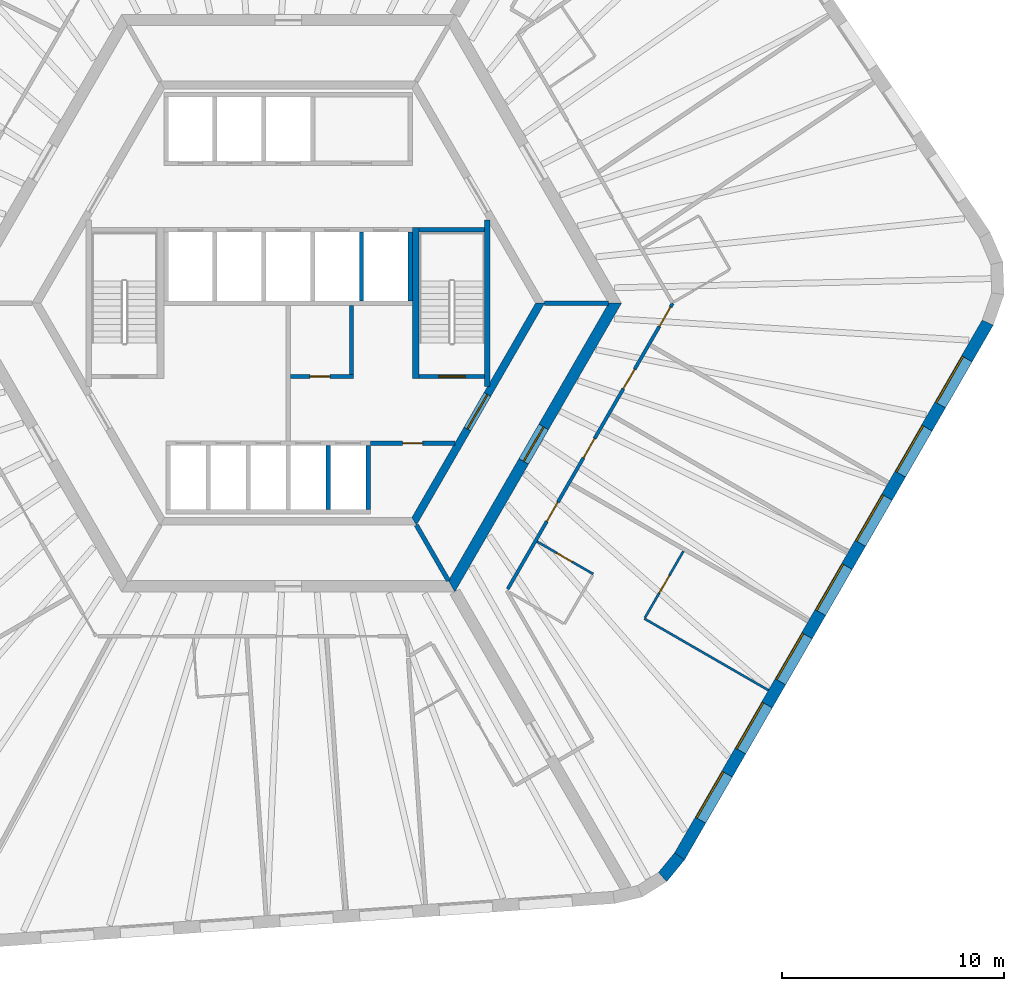
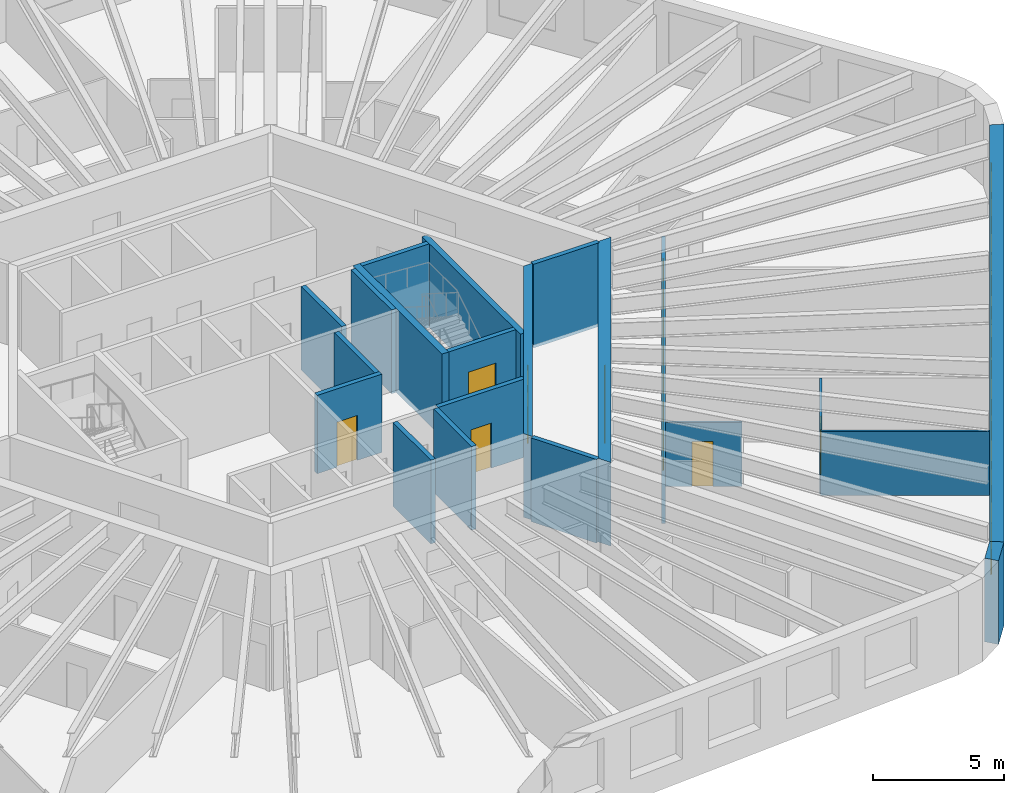
# One storey, part 5 of 10: 21 walls, 11 doors, 7 windows, 18 openings.
"""IFC4 building model written with IfcOpenShell, lengths in metres."""

from ifc_helpers import new_model, si_unit, direction, frame, frame_2d, origin, place, context, subcontext, project, spatial, polyline, rectangle, outline, extrude, material, layer, layer_set, type_object, element, fill, save


model = new_model("IFC4")

# Units and contexts
model_context = context("Model", 3, precision=1e-05, world=origin(), true_north=direction((0.0, 1.0)))
body_context = subcontext(model_context, "Body", "Model", "MODEL_VIEW")
ifc_project = project(units=[si_unit("LENGTHUNIT", "METRE"), si_unit("AREAUNIT", "SQUARE_METRE"), si_unit("VOLUMEUNIT", "CUBIC_METRE"), si_unit("PLANEANGLEUNIT", "RADIAN"), si_unit("MASSUNIT", "GRAM", prefix="KILO")], contexts=[model_context])

# Site, building, storey
site_placement = place(None, origin())
site = spatial("IfcSite", under=ifc_project, at=site_placement, CompositionType="ELEMENT")
building_placement = place(site_placement, origin())
building = spatial("IfcBuilding", under=site, at=building_placement, Name="Tarnside Tower", CompositionType="ELEMENT")
storey_placement = place(building_placement, frame((0.0, 0.0, 199.5)))
storey = spatial("IfcBuildingStorey", under=building, at=storey_placement, Name="L47", CompositionType="ELEMENT", Elevation=199.5)

# Wall, opening, door
ifc_material_1 = material(Name="Gypsum board partition on steel studs", Category="steel")
ifc_layer_1 = layer(ifc_material_1, 0.10009765625)
ifc_layer_set_1 = layer_set([ifc_layer_1], Name="Bathroom wall 100")
wall_type_1 = type_object("IfcWallType", Name="Bathroom wall 100", PredefinedType="PARTITIONING", material=ifc_layer_set_1)
wall_1_placement = place(storey_placement, frame((11.208740234375, -10.73583984375, 0.0), z_axis=(0.0, 0.0, 1.0), x_axis=(0.866046596414, -0.499963291492, 0.0)))
wall_1 = element("IfcWall", 1, at=wall_1_placement, inside=storey, type_object=wall_type_1, Name="Bathroom wall 15094", PredefinedType="PARTITIONING", context=body_context, shape_type="SweptSolid", body=[
    extrude(rectangle(XDim=2.925048828125, YDim=0.10009765625, at=frame_2d((1.46240234375, 0.0))), origin(), (0.0, 0.0, 1.0), 2.98779296875),
])
opening_1_placement = place(wall_1_placement, frame((1.02490234375, 0.0, 0.0)))
opening_1 = element("IfcOpeningElement", 2, at=opening_1_placement, cuts=wall_1, Name="Opening D-B1", PredefinedType="OPENING", context=body_context, shape_type="SweptSolid", body=[
    extrude(rectangle(XDim=0.800048828125, YDim=2.10009765625, at=frame_2d((0.39990234375, 1.050048828125))), frame((0.0, 0.06005859375, 0.0), z_axis=(0.0, -1.0, 0.0), x_axis=(1.0, 0.0, 0.0)), (0.0, 0.0, 1.0), 0.1201171875),
])
ifc_material_2 = material(Name="Timber door leaf", Category="wood")
door_type_1 = type_object("IfcDoorType", Name="Bathroom door 800", OperationType="NOTDEFINED", PredefinedType="DOOR", material=ifc_material_2)
door_1_placement = place(opening_1_placement, origin())
door_1 = element("IfcDoor", 3, at=door_1_placement, inside=storey, type_object=door_type_1, Name="Bathroom door 15026", OperationType="SINGLE_SWING_RIGHT", OverallHeight=2.10009765625, OverallWidth=0.800048828125, PredefinedType="DOOR", context=body_context, shape_type="SweptSolid", body=[
    extrude(rectangle(XDim=0.800048828125, YDim=2.10009765625, at=frame_2d((0.39990234375, 1.050048828125))), frame((0.0, 0.02490234375, 0.0), z_axis=(0.0, -1.0, 0.0), x_axis=(1.0, 0.0, 0.0)), (0.0, 0.0, 1.0), 0.050048828125),
])
fill(opening_1, door_1)

ifc_material_3 = material(Name="Concrete C50/60", Category="concrete")
ifc_layer_2 = layer(ifc_material_3, 0.35009765625)
ifc_layer_set_2 = layer_set([ifc_layer_2], Name="Core block wall 350 C50/60")
wall_type_2 = type_object("IfcWallType", Name="Core block wall 350 C50/60", PredefinedType="SHEAR", material=ifc_layer_set_2)
wall_2_placement = place(storey_placement, frame((5.672607421875, -9.824951171875, -0.14990234375), z_axis=(0.0, 0.0, 1.0), x_axis=(0.499995046907, 0.866028263435, 0.0)))
wall_2 = element("IfcWall", 4, at=wall_2_placement, inside=storey, type_object=wall_type_2, Name="L47 core block wall face 5", PredefinedType="SHEAR", context=body_context, shape_type="SweptSolid", body=[
    extrude(outline(polyline([(-0.10107421875, -0.175048828125), (11.44580078125, -0.175048828125), (11.24365234375, 0.175048828125), (0.10107421875, 0.175048828125), (-0.10107421875, -0.175048828125)])), origin(), (0.0, 0.0, 1.0), 3.89990234375),
])
opening_2_placement = place(wall_2_placement, frame((4.80126953125, 0.0, 0.14990234375)))
opening_2 = element("IfcOpeningElement", 5, at=opening_2_placement, cuts=wall_2, Name="Opening CD-FFL", PredefinedType="OPENING", context=body_context, shape_type="SweptSolid", body=[
    extrude(rectangle(XDim=1.800048828125, YDim=2.39990234375, at=frame_2d((0.89990234375, 1.199951171875))), frame((0.0, 0.18505859375, 0.0), z_axis=(0.0, -1.0, 0.0), x_axis=(1.0, 0.0, 0.0)), (0.0, 0.0, 1.0), 0.3701171875),
])
ifc_material_4 = material(Name="Steel fire door", Category="steel")
door_type_2 = type_object("IfcDoorType", Name="Firefighting lobby double door FD60S 1800x2400", OperationType="NOTDEFINED", PredefinedType="DOOR", material=ifc_material_4)
door_2_placement = place(opening_2_placement, origin())
door_2 = element("IfcDoor", 6, at=door_2_placement, inside=storey, type_object=door_type_2, Name="L47 lobby block door P4", OperationType="DOUBLE_DOOR_SINGLE_SWING", OverallHeight=2.39990234375, OverallWidth=1.800048828125, PredefinedType="DOOR", context=body_context, shape_type="SweptSolid", body=[
    extrude(rectangle(XDim=1.800048828125, YDim=2.39990234375, at=frame_2d((0.89990234375, 1.199951171875))), frame((0.0, 0.02490234375, 0.0), z_axis=(0.0, -1.0, 0.0), x_axis=(1.0, 0.0, 0.0)), (0.0, 0.0, 1.0), 0.050048828125),
])
fill(opening_2, door_2)

ifc_material_5 = material(Name="Concrete C40/50", Category="concrete")
ifc_layer_3 = layer(ifc_material_5, 0.199951171875)
ifc_layer_set_3 = layer_set([ifc_layer_3], Name="Core room partition 200 C40/50")
wall_type_3 = type_object("IfcWallType", Name="Core room partition 200 C40/50", PredefinedType="PARTITIONING", material=ifc_layer_set_3)
wall_3_placement = place(storey_placement, frame((0.10009765625, -3.300048828125, 0.0), z_axis=(0.0, 0.0, 1.0), x_axis=(1.0, 0.0, 0.0)))
wall_3 = element("IfcWall", 7, at=wall_3_placement, inside=storey, type_object=wall_type_3, Name="L47 core partition R3S1", PredefinedType="PARTITIONING", context=body_context, shape_type="SweptSolid", body=[
    extrude(rectangle(XDim=2.849853515625, YDim=0.199951171875, at=frame_2d((1.4248046875, 0.0))), origin(), (0.0, 0.0, 1.0), 3.64990234375),
])
opening_3_placement = place(wall_3_placement, frame((0.875, 0.0, 0.0)))
opening_3 = element("IfcOpeningElement", 8, at=opening_3_placement, cuts=wall_3, Name="Opening CD-room", PredefinedType="OPENING", context=body_context, shape_type="SweptSolid", body=[
    extrude(rectangle(XDim=0.89990234375, YDim=2.10009765625, at=frame_2d((0.449951171875, 1.050048828125))), frame((0.0, 0.10986328125, 0.0), z_axis=(0.0, -1.0, 0.0), x_axis=(1.0, 0.0, 0.0)), (0.0, 0.0, 1.0), 0.219970703125),
])
door_type_3 = type_object("IfcDoorType", Name="Room door FD60 900x2100", OperationType="NOTDEFINED", PredefinedType="DOOR", material=ifc_material_4)
door_3_placement = place(opening_3_placement, origin())
door_3 = element("IfcDoor", 9, at=door_3_placement, inside=storey, type_object=door_type_3, Name="L47 core room door SR1", OperationType="SINGLE_SWING_LEFT", OverallHeight=2.10009765625, OverallWidth=0.89990234375, PredefinedType="DOOR", context=body_context, shape_type="SweptSolid", body=[
    extrude(rectangle(XDim=0.89990234375, YDim=2.10009765625, at=frame_2d((0.449951171875, 1.050048828125))), frame((0.0, 0.02490234375, 0.0), z_axis=(0.0, -1.0, 0.0), x_axis=(1.0, 0.0, 0.0)), (0.0, 0.0, 1.0), 0.050048828125),
])
fill(opening_3, door_3)

# Wall
wall_4_placement = place(storey_placement, frame((2.85009765625, -3.199951171875, 0.0), z_axis=(0.0, 0.0, 1.0), x_axis=(0.0, 1.0, 0.0)))
element("IfcWall", 10, at=wall_4_placement, inside=storey, type_object=wall_type_3, Name="L47 core partition R3P1b", PredefinedType="PARTITIONING", context=body_context, shape_type="SweptSolid", body=[
    extrude(rectangle(XDim=3.099853515625, YDim=0.199951171875, at=frame_2d((1.5498046875, 0.0))), origin(), (0.0, 0.0, 1.0), 3.64990234375),
])

# Wall, opening, door
wall_5_placement = place(storey_placement, frame((3.699951171875, -6.300048828125, 0.0), z_axis=(0.0, 0.0, 1.0), x_axis=(1.0, 0.0, 0.0)))
wall_5 = element("IfcWall", 11, at=wall_5_placement, inside=storey, type_object=wall_type_3, Name="L47 core partition R4X", PredefinedType="PARTITIONING", context=body_context, shape_type="SweptSolid", body=[
    extrude(rectangle(XDim=3.8056640625, YDim=0.199951171875, at=frame_2d((1.90283203125, 0.0))), origin(), (0.0, 0.0, 1.0), 3.64990234375),
])
opening_4_placement = place(wall_5_placement, frame((1.452880859375, 0.0, 0.0)))
opening_4 = element("IfcOpeningElement", 12, at=opening_4_placement, cuts=wall_5, Name="Opening CD-room", PredefinedType="OPENING", context=body_context, shape_type="SweptSolid", body=[
    extrude(rectangle(XDim=0.89990234375, YDim=2.10009765625, at=frame_2d((0.449951171875, 1.050048828125))), frame((0.0, 0.10986328125, 0.0), z_axis=(0.0, -1.0, 0.0), x_axis=(1.0, 0.0, 0.0)), (0.0, 0.0, 1.0), 0.219970703125),
])
door_4_placement = place(opening_4_placement, origin())
door_4 = element("IfcDoor", 13, at=door_4_placement, inside=storey, type_object=door_type_3, Name="L47 core room door RX", OperationType="SINGLE_SWING_LEFT", OverallHeight=2.10009765625, OverallWidth=0.89990234375, PredefinedType="DOOR", context=body_context, shape_type="SweptSolid", body=[
    extrude(rectangle(XDim=0.89990234375, YDim=2.10009765625, at=frame_2d((0.449951171875, 1.050048828125))), frame((0.0, 0.02490234375, 0.0), z_axis=(0.0, -1.0, 0.0), x_axis=(1.0, 0.0, 0.0)), (0.0, 0.0, 1.0), 0.050048828125),
])
fill(opening_4, door_4)

ifc_material_6 = material(Name="Concrete C70/85", Category="concrete")
ifc_layer_4 = layer(ifc_material_6, 0.5)
ifc_layer_set_4 = layer_set([ifc_layer_4], Name="Core wall Z2 500 C70/85")
wall_type_4 = type_object("IfcWallType", Name="Core wall Z2 500 C70/85", PredefinedType="SHEAR", material=ifc_layer_set_4)
wall_6_placement = place(storey_placement, frame((7.361083984375, -12.75, -0.14990234375), z_axis=(0.0, 0.0, 1.0), x_axis=(0.50000571537, 0.866022103989, 0.0)))
wall_6 = element("IfcWall", 14, at=wall_6_placement, inside=storey, type_object=wall_type_4, Name="L47 core wall face 5", PredefinedType="SHEAR", context=body_context, shape_type="SweptSolid", body=[
    extrude(outline(polyline([(-0.144287109375, -0.25), (14.86669921875, -0.25), (14.578125, 0.25), (0.144287109375, 0.25), (-0.144287109375, -0.25)])), origin(), (0.0, 0.0, 1.0), 3.89990234375),
])
opening_5_placement = place(wall_6_placement, frame((6.489990234375, 0.0, 0.14990234375)))
opening_5 = element("IfcOpeningElement", 15, at=opening_5_placement, cuts=wall_6, Name="Opening CD-FFL", PredefinedType="OPENING", context=body_context, shape_type="SweptSolid", body=[
    extrude(rectangle(XDim=1.800048828125, YDim=2.39990234375, at=frame_2d((0.89990234375, 1.199951171875))), frame((0.0, 0.260009765625, 0.0), z_axis=(0.0, -1.0, 0.0), x_axis=(1.0, 0.0, 0.0)), (0.0, 0.0, 1.0), 0.52001953125),
])
door_5_placement = place(opening_5_placement, origin())
door_5 = element("IfcDoor", 16, at=door_5_placement, inside=storey, type_object=door_type_2, Name="L47 core door P4", OperationType="DOUBLE_DOOR_SINGLE_SWING", OverallHeight=2.39990234375, OverallWidth=1.800048828125, PredefinedType="DOOR", context=body_context, shape_type="SweptSolid", body=[
    extrude(rectangle(XDim=1.800048828125, YDim=2.39990234375, at=frame_2d((0.89990234375, 1.199951171875))), frame((0.0, 0.02490234375, 0.0), z_axis=(0.0, -1.0, 0.0), x_axis=(1.0, 0.0, 0.0)), (0.0, 0.0, 1.0), 0.050048828125),
])
fill(opening_5, door_5)

# Wall, openings, doors
ifc_layer_5 = layer(ifc_material_1, 0.14990234375)
ifc_layer_set_5 = layer_set([ifc_layer_5], Name="Corridor wall 150 EI 60")
wall_type_5 = type_object("IfcWallType", Name="Corridor wall 150 EI 60", PredefinedType="PARTITIONING", material=ifc_layer_set_5)
wall_7_placement = place(storey_placement, frame((9.88720703125, -12.875, 0.0), z_axis=(0.0, 0.0, 1.0), x_axis=(0.499998228944, 0.866026426302, 0.0)))
wall_7 = element("IfcWall", 17, at=wall_7_placement, inside=storey, type_object=wall_type_5, Name="Corridor wall 15035", PredefinedType="PARTITIONING", context=body_context, shape_type="SweptSolid", body=[
    extrude(rectangle(XDim=14.86669921875, YDim=0.14990234375, at=frame_2d((7.433349609375, 0.0))), origin(), (0.0, 0.0, 1.0), 2.98779296875),
])
opening_6_placement = place(wall_7_placement, frame((3.518798828125, 0.0, 0.0)))
opening_6 = element("IfcOpeningElement", 18, at=opening_6_placement, cuts=wall_7, Name="Opening D-E1", PredefinedType="OPENING", context=body_context, shape_type="SweptSolid", body=[
    extrude(rectangle(XDim=1.0, YDim=2.10009765625, at=frame_2d((0.5, 1.050048828125))), frame((0.0, 0.0849609375, 0.0), z_axis=(0.0, -1.0, 0.0), x_axis=(1.0, 0.0, 0.0)), (0.0, 0.0, 1.0), 0.169921875),
])
opening_7_placement = place(wall_7_placement, frame((6.824462890625, 0.0, 0.0)))
opening_7 = element("IfcOpeningElement", 19, at=opening_7_placement, cuts=wall_7, Name="Opening D-E1", PredefinedType="OPENING", context=body_context, shape_type="SweptSolid", body=[
    extrude(rectangle(XDim=1.0, YDim=2.10009765625, at=frame_2d((0.5, 1.050048828125))), frame((0.0, 0.0849609375, 0.0), z_axis=(0.0, -1.0, 0.0), x_axis=(1.0, 0.0, 0.0)), (0.0, 0.0, 1.0), 0.169921875),
])
opening_8_placement = place(wall_7_placement, frame((10.42431640625, 0.0, 0.0)))
opening_8 = element("IfcOpeningElement", 20, at=opening_8_placement, cuts=wall_7, Name="Opening D-E1", PredefinedType="OPENING", context=body_context, shape_type="SweptSolid", body=[
    extrude(rectangle(XDim=1.0, YDim=2.10009765625, at=frame_2d((0.5, 1.050048828125))), frame((0.0, 0.0849609375, 0.0), z_axis=(0.0, -1.0, 0.0), x_axis=(1.0, 0.0, 0.0)), (0.0, 0.0, 1.0), 0.169921875),
])
opening_9_placement = place(wall_7_placement, frame((13.666748046875, 0.0, 0.0)))
opening_9 = element("IfcOpeningElement", 21, at=opening_9_placement, cuts=wall_7, Name="Opening D-E1", PredefinedType="OPENING", context=body_context, shape_type="SweptSolid", body=[
    extrude(rectangle(XDim=1.0, YDim=2.10009765625, at=frame_2d((0.5, 1.050048828125))), frame((0.0, 0.0849609375, 0.0), z_axis=(0.0, -1.0, 0.0), x_axis=(1.0, 0.0, 0.0)), (0.0, 0.0, 1.0), 0.169921875),
])
door_type_4 = type_object("IfcDoorType", Name="Unit entrance door 1000 FD30S", OperationType="NOTDEFINED", PredefinedType="DOOR", material=ifc_material_2)
door_6_placement = place(opening_6_placement, origin())
door_6 = element("IfcDoor", 22, at=door_6_placement, inside=storey, type_object=door_type_4, Name="Unit door 15025", OperationType="SINGLE_SWING_RIGHT", OverallHeight=2.10009765625, OverallWidth=1.0, PredefinedType="DOOR", context=body_context, shape_type="SweptSolid", body=[
    extrude(rectangle(XDim=1.0, YDim=2.10009765625, at=frame_2d((0.5, 1.050048828125))), frame((0.0, 0.02490234375, 0.0), z_axis=(0.0, -1.0, 0.0), x_axis=(1.0, 0.0, 0.0)), (0.0, 0.0, 1.0), 0.050048828125),
])
fill(opening_6, door_6)
door_7_placement = place(opening_7_placement, origin())
door_7 = element("IfcDoor", 23, at=door_7_placement, inside=storey, type_object=door_type_4, Name="Unit door 15028", OperationType="SINGLE_SWING_RIGHT", OverallHeight=2.10009765625, OverallWidth=1.0, PredefinedType="DOOR", context=body_context, shape_type="SweptSolid", body=[
    extrude(rectangle(XDim=1.0, YDim=2.10009765625, at=frame_2d((0.5, 1.050048828125))), frame((0.0, 0.02490234375, 0.0), z_axis=(0.0, -1.0, 0.0), x_axis=(1.0, 0.0, 0.0)), (0.0, 0.0, 1.0), 0.050048828125),
])
fill(opening_7, door_7)
door_8_placement = place(opening_8_placement, origin())
door_8 = element("IfcDoor", 24, at=door_8_placement, inside=storey, type_object=door_type_4, Name="Unit door 15029", OperationType="SINGLE_SWING_RIGHT", OverallHeight=2.10009765625, OverallWidth=1.0, PredefinedType="DOOR", context=body_context, shape_type="SweptSolid", body=[
    extrude(rectangle(XDim=1.0, YDim=2.10009765625, at=frame_2d((0.5, 1.050048828125))), frame((0.0, 0.02490234375, 0.0), z_axis=(0.0, -1.0, 0.0), x_axis=(1.0, 0.0, 0.0)), (0.0, 0.0, 1.0), 0.050048828125),
])
fill(opening_8, door_8)
door_9_placement = place(opening_9_placement, origin())
door_9 = element("IfcDoor", 25, at=door_9_placement, inside=storey, type_object=door_type_4, Name="Unit door 15030", OperationType="SINGLE_SWING_LEFT", OverallHeight=2.10009765625, OverallWidth=1.0, PredefinedType="DOOR", context=body_context, shape_type="SweptSolid", body=[
    extrude(rectangle(XDim=1.0, YDim=2.10009765625, at=frame_2d((0.5, 1.050048828125))), frame((0.0, 0.02490234375, 0.0), z_axis=(0.0, -1.0, 0.0), x_axis=(1.0, 0.0, 0.0)), (0.0, 0.0, 1.0), 0.050048828125),
])
fill(opening_9, door_9)

# Walls
ifc_layer_6 = layer(ifc_material_5, 0.199951171875)
ifc_layer_set_6 = layer_set([ifc_layer_6], Name="Lift shaft wall 200 C40/50")
wall_type_6 = type_object("IfcWallType", Name="Lift shaft wall 200 C40/50", PredefinedType="SHEAR", material=ifc_layer_set_6)
for number, where, z_axis, x_axis, name in (
    (26, (3.300048828125, 0.10009765625, -0.25), (0.0, 0.0, 1.0), (0.0, 1.0, 0.0), "L47 lift shaft partition R25"),
    (27, (5.5, 0.10009765625, -0.25), (0.0, 0.0, 1.0), (0.0, 1.0, 0.0), "L47 lift shaft partition R26"),
):
    element("IfcWall", number, at=place(storey_placement, frame(where, z_axis=z_axis, x_axis=x_axis)), inside=storey, type_object=wall_type_6, Name=name, PredefinedType="SHEAR", context=body_context, shape_type="SweptSolid", body=[
        extrude(rectangle(XDim=3.099853515625, YDim=0.199951171875, at=frame_2d((1.5498046875, 0.0))), origin(), (0.0, 0.0, 1.0), 3.89990234375),
    ])
for number, where, z_axis, x_axis, name in (
    (28, (1.800048828125, -9.300048828125, -0.25), (0.0, 0.0, 1.0), (0.0, 1.0, 0.0), "L47 lift shaft partition R45"),
    (29, (3.60009765625, -9.300048828125, -0.25), (0.0, 0.0, 1.0), (0.0, 1.0, 0.0), "L47 lift shaft partition R46"),
):
    element("IfcWall", number, at=place(storey_placement, frame(where, z_axis=z_axis, x_axis=x_axis)), inside=storey, type_object=wall_type_6, Name=name, PredefinedType="SHEAR", context=body_context, shape_type="SweptSolid", body=[
        extrude(rectangle(XDim=2.900146484375, YDim=0.199951171875, at=frame_2d((1.4501953125, 0.0))), origin(), (0.0, 0.0, 1.0), 3.89990234375),
    ])
for number, where, z_axis, x_axis, name in (
    (30, (11.547119140625, 0.0, -0.14990234375), (0.0, 0.0, 1.0), (1.0, 0.0, 0.0), "L47 core partition AR0"),
    (31, (5.7734375, -10.0, -0.14990234375), (0.0, 0.0, 1.0), (0.499995765644, -0.866027848477, 0.0), "L47 core partition AR300"),
):
    element("IfcWall", number, at=place(storey_placement, frame(where, z_axis=z_axis, x_axis=x_axis)), inside=storey, type_object=wall_type_6, Name=name, PredefinedType="SHEAR", context=body_context, shape_type="SweptSolid", body=[
        extrude(rectangle(XDim=2.88671875, YDim=0.199951171875, at=frame_2d((1.443359375, 0.0))), origin(), (0.0, 0.0, 1.0), 3.89990234375),
    ])
wall_8_placement = place(storey_placement, frame((5.89990234375, 3.300048828125, -0.25), z_axis=(0.0, 0.0, 1.0), x_axis=(1.0, 0.0, 0.0)))
element("IfcWall", 32, at=wall_8_placement, inside=storey, type_object=wall_type_6, Name="L47 stair 1 enclosure cap wall n", PredefinedType="SHEAR", context=body_context, shape_type="SweptSolid", body=[
    extrude(rectangle(XDim=2.9501953125, YDim=0.199951171875, at=frame_2d((1.47509765625, 0.0))), origin(), (0.0, 0.0, 1.0), 3.89990234375),
])

# Wall, opening, door
wall_9_placement = place(storey_placement, frame((5.89990234375, -3.300048828125, -0.25), z_axis=(0.0, 0.0, 1.0), x_axis=(1.0, 0.0, 0.0)))
wall_9 = element("IfcWall", 33, at=wall_9_placement, inside=storey, type_object=wall_type_6, Name="L47 stair 1 enclosure cap wall s", PredefinedType="SHEAR", context=body_context, shape_type="SweptSolid", body=[
    extrude(rectangle(XDim=2.9501953125, YDim=0.199951171875, at=frame_2d((1.47509765625, 0.0))), origin(), (0.0, 0.0, 1.0), 3.89990234375),
])
opening_10_placement = place(wall_9_placement, frame((0.875, 0.0, 0.25)))
opening_10 = element("IfcOpeningElement", 34, at=opening_10_placement, cuts=wall_9, Name="Opening CD-STR", PredefinedType="OPENING", context=body_context, shape_type="SweptSolid", body=[
    extrude(rectangle(XDim=1.199951171875, YDim=2.39990234375, at=frame_2d((0.60009765625, 1.199951171875))), frame((0.0, 0.10986328125, 0.0), z_axis=(0.0, -1.0, 0.0), x_axis=(1.0, 0.0, 0.0)), (0.0, 0.0, 1.0), 0.219970703125),
])
door_type_5 = type_object("IfcDoorType", Name="Stair door FD60S 1200x2400", OperationType="NOTDEFINED", PredefinedType="DOOR", material=ifc_material_4)
door_10_placement = place(opening_10_placement, origin())
door_10 = element("IfcDoor", 35, at=door_10_placement, inside=storey, type_object=door_type_5, Name="L47 stair 1 door", OperationType="SINGLE_SWING_LEFT", OverallHeight=2.39990234375, OverallWidth=1.199951171875, PredefinedType="DOOR", context=body_context, shape_type="SweptSolid", body=[
    extrude(rectangle(XDim=1.199951171875, YDim=2.39990234375, at=frame_2d((0.60009765625, 1.199951171875))), frame((0.0, 0.02490234375, 0.0), z_axis=(0.0, -1.0, 0.0), x_axis=(1.0, 0.0, 0.0)), (0.0, 0.0, 1.0), 0.050048828125),
])
fill(opening_10, door_10)

# Wall
ifc_layer_7 = layer(ifc_material_1, 0.10009765625)
ifc_layer_set_7 = layer_set([ifc_layer_7], Name="Partition 100")
wall_type_7 = type_object("IfcWallType", Name="Partition 100", PredefinedType="PARTITIONING", material=ifc_layer_set_7)
wall_10_placement = place(storey_placement, frame((21.63134765625, -17.433349609375, 0.0), z_axis=(0.0, 0.0, 1.0), x_axis=(-0.86603809205, 0.499978022635, 0.0)))
element("IfcWall", 36, at=wall_10_placement, inside=storey, type_object=wall_type_7, Name="Partition wall 15097", PredefinedType="PARTITIONING", context=body_context, shape_type="SweptSolid", body=[
    extrude(rectangle(XDim=6.449951171875, YDim=0.10009765625, at=frame_2d((3.22509765625, 0.0))), origin(), (0.0, 0.0, 1.0), 2.98779296875),
])

# Wall, opening, door
wall_11_placement = place(storey_placement, frame((16.070556640625, -14.1650390625, 0.0), z_axis=(0.0, 0.0, 1.0), x_axis=(0.500009533716, 0.866019899421, 0.0)))
wall_11 = element("IfcWall", 37, at=wall_11_placement, inside=storey, type_object=wall_type_7, Name="Partition wall 15098", PredefinedType="PARTITIONING", context=body_context, shape_type="SweptSolid", body=[
    extrude(rectangle(XDim=3.4599609375, YDim=0.10009765625, at=frame_2d((1.72998046875, 0.0))), origin(), (0.0, 0.0, 1.0), 2.98779296875),
])
opening_11_placement = place(wall_11_placement, frame((1.300048828125, 0.0, 0.0)))
opening_11 = element("IfcOpeningElement", 38, at=opening_11_placement, cuts=wall_11, Name="Opening D-I1", PredefinedType="OPENING", context=body_context, shape_type="SweptSolid", body=[
    extrude(rectangle(XDim=0.89990234375, YDim=2.10009765625, at=frame_2d((0.449951171875, 1.050048828125))), frame((0.0, 0.06005859375, 0.0), z_axis=(0.0, -1.0, 0.0), x_axis=(1.0, 0.0, 0.0)), (0.0, 0.0, 1.0), 0.1201171875),
])
door_type_6 = type_object("IfcDoorType", Name="Internal door 900", OperationType="NOTDEFINED", PredefinedType="DOOR", material=ifc_material_2)
door_11_placement = place(opening_11_placement, origin())
door_11 = element("IfcDoor", 39, at=door_11_placement, inside=storey, type_object=door_type_6, Name="Internal door 15027", OperationType="SINGLE_SWING_LEFT", OverallHeight=2.10009765625, OverallWidth=0.89990234375, PredefinedType="DOOR", context=body_context, shape_type="SweptSolid", body=[
    extrude(rectangle(XDim=0.89990234375, YDim=2.10009765625, at=frame_2d((0.449951171875, 1.050048828125))), frame((0.0, 0.02490234375, 0.0), z_axis=(0.0, -1.0, 0.0), x_axis=(1.0, 0.0, 0.0)), (0.0, 0.0, 1.0), 0.050048828125),
])
fill(opening_11, door_11)

# Walls
ifc_layer_8 = layer(ifc_material_5, 0.25)
ifc_layer_set_8 = layer_set([ifc_layer_8], Name="Stair enclosure wall 250 C40/50")
wall_type_8 = type_object("IfcWallType", Name="Stair enclosure wall 250 C40/50", PredefinedType="SHEAR", material=ifc_layer_set_8)
wall_12_placement = place(storey_placement, frame((8.97509765625, -3.7548828125, -0.25), z_axis=(0.0, 0.0, 1.0), x_axis=(0.0, 1.0, 0.0)))
element("IfcWall", 40, at=wall_12_placement, inside=storey, type_object=wall_type_8, Name="L47 stair 1 enclosure wall outer", PredefinedType="SHEAR", context=body_context, shape_type="SweptSolid", body=[
    extrude(rectangle(XDim=7.509765625, YDim=0.25, at=frame_2d((3.7548828125, 0.0))), origin(), (0.0, 0.0, 1.0), 3.89990234375),
])
ifc_layer_9 = layer(ifc_material_5, 0.300048828125)
ifc_layer_set_9 = layer_set([ifc_layer_9], Name="Stair enclosure wall 300 C40/50")
wall_type_9 = type_object("IfcWallType", Name="Stair enclosure wall 300 C40/50", PredefinedType="SHEAR", material=ifc_layer_set_9)
wall_13_placement = place(storey_placement, frame((5.75, -3.39990234375, -0.25), z_axis=(0.0, 0.0, 1.0), x_axis=(0.0, 1.0, 0.0)))
element("IfcWall", 41, at=wall_13_placement, inside=storey, type_object=wall_type_9, Name="L47 stair 1 enclosure wall inner", PredefinedType="SHEAR", context=body_context, shape_type="SweptSolid", body=[
    extrude(rectangle(XDim=6.7998046875, YDim=0.300048828125, at=frame_2d((3.39990234375, 0.0))), origin(), (0.0, 0.0, 1.0), 3.89990234375),
])
ifc_material_7 = material(Name="Facing brick", Category="masonry")
ifc_layer_10 = layer(ifc_material_7, 0.10205078125)
ifc_material_8 = material(Name="Concrete C60/75 precast", Category="concrete")
ifc_layer_11 = layer(ifc_material_8, 0.347900390625)
ifc_material_9 = material(Name="Mineral wool insulation")
ifc_layer_12 = layer(ifc_material_9, 0.10009765625)
ifc_layer_set_10 = layer_set([ifc_layer_10, ifc_layer_11, ifc_layer_12], Name="Tube wall 550 brick faced")
wall_type_10 = type_object("IfcWallType", Name="Tube wall 550 brick faced", PredefinedType="SOLIDWALL", material=ifc_layer_set_10)
wall_14_placement = place(storey_placement, frame((16.8642578125, -25.848388671875, -0.14990234375), z_axis=(0.0, 0.0, 1.0), x_axis=(0.633842757806, 0.773461930787, 0.0)))
element("IfcWall", 42, at=wall_14_placement, inside=storey, type_object=wall_type_10, Name="Tube wall L47 F4 chord 15", PredefinedType="SOLIDWALL", context=body_context, shape_type="SweptSolid", body=[
    extrude(outline(polyline([(-0.045166015625, -0.27490234375), (1.230712890625, -0.27490234375), (1.185791015625, 0.27490234375), (0.045166015625, 0.27490234375), (-0.045166015625, -0.27490234375)])), origin(), (0.0, 0.0, 1.0), 3.89990234375),
])

# Wall, openings, windows
wall_15_placement = place(storey_placement, frame((17.630126953125, -24.913818359375, -0.14990234375), z_axis=(0.0, 0.0, 1.0), x_axis=(0.499998569178, 0.866026229868, 0.0)))
wall_15 = element("IfcWall", 43, at=wall_15_placement, inside=storey, type_object=wall_type_10, Name="Tube wall L47 F5 flush 16", PredefinedType="SOLIDWALL", context=body_context, shape_type="SweptSolid", body=[
    extrude(outline(polyline([(-0.0224609375, -0.27490234375), (27.783447265625, -0.27490234375), (27.732177734375, 0.27490234375), (0.0224609375, 0.27490234375), (-0.0224609375, -0.27490234375)])), origin(), (0.0, 0.0, 1.0), 3.89990234375),
])
opening_12_placement = place(wall_15_placement, frame((1.87890625, 0.0, 1.050048828125)))
opening_12 = element("IfcOpeningElement", 44, at=opening_12_placement, cuts=wall_15, Name="Opening WH", PredefinedType="OPENING", context=body_context, shape_type="SweptSolid", body=[
    extrude(rectangle(XDim=2.39990234375, YDim=2.39990234375, at=frame_2d((1.199951171875, 1.199951171875))), frame((0.0, 0.28515625, 0.0), z_axis=(0.0, -1.0, 0.0), x_axis=(1.0, 0.0, 0.0)), (0.0, 0.0, 1.0), 0.570068359375),
])
opening_13_placement = place(wall_15_placement, frame((5.47900390625, 0.0, 1.050048828125)))
opening_13 = element("IfcOpeningElement", 45, at=opening_13_placement, cuts=wall_15, Name="Opening WH", PredefinedType="OPENING", context=body_context, shape_type="SweptSolid", body=[
    extrude(rectangle(XDim=2.39990234375, YDim=2.39990234375, at=frame_2d((1.199951171875, 1.199951171875))), frame((0.0, 0.28515625, 0.0), z_axis=(0.0, -1.0, 0.0), x_axis=(1.0, 0.0, 0.0)), (0.0, 0.0, 1.0), 0.570068359375),
])
opening_14_placement = place(wall_15_placement, frame((9.078857421875, 0.0, 1.050048828125)))
opening_14 = element("IfcOpeningElement", 46, at=opening_14_placement, cuts=wall_15, Name="Opening WH", PredefinedType="OPENING", context=body_context, shape_type="SweptSolid", body=[
    extrude(rectangle(XDim=2.39990234375, YDim=2.39990234375, at=frame_2d((1.199951171875, 1.199951171875))), frame((0.0, 0.28515625, 0.0), z_axis=(0.0, -1.0, 0.0), x_axis=(1.0, 0.0, 0.0)), (0.0, 0.0, 1.0), 0.570068359375),
])
opening_15_placement = place(wall_15_placement, frame((12.678955078125, 0.0, 1.050048828125)))
opening_15 = element("IfcOpeningElement", 47, at=opening_15_placement, cuts=wall_15, Name="Opening WH", PredefinedType="OPENING", context=body_context, shape_type="SweptSolid", body=[
    extrude(rectangle(XDim=2.39990234375, YDim=2.39990234375, at=frame_2d((1.199951171875, 1.199951171875))), frame((0.0, 0.28515625, 0.0), z_axis=(0.0, -1.0, 0.0), x_axis=(1.0, 0.0, 0.0)), (0.0, 0.0, 1.0), 0.570068359375),
])
opening_16_placement = place(wall_15_placement, frame((16.27880859375, 0.0, 1.050048828125)))
opening_16 = element("IfcOpeningElement", 48, at=opening_16_placement, cuts=wall_15, Name="Opening WH", PredefinedType="OPENING", context=body_context, shape_type="SweptSolid", body=[
    extrude(rectangle(XDim=2.39990234375, YDim=2.39990234375, at=frame_2d((1.199951171875, 1.199951171875))), frame((0.0, 0.28515625, 0.0), z_axis=(0.0, -1.0, 0.0), x_axis=(1.0, 0.0, 0.0)), (0.0, 0.0, 1.0), 0.570068359375),
])
opening_17_placement = place(wall_15_placement, frame((19.87890625, 0.0, 1.050048828125)))
opening_17 = element("IfcOpeningElement", 49, at=opening_17_placement, cuts=wall_15, Name="Opening WH", PredefinedType="OPENING", context=body_context, shape_type="SweptSolid", body=[
    extrude(rectangle(XDim=2.39990234375, YDim=2.39990234375, at=frame_2d((1.199951171875, 1.199951171875))), frame((0.0, 0.28515625, 0.0), z_axis=(0.0, -1.0, 0.0), x_axis=(1.0, 0.0, 0.0)), (0.0, 0.0, 1.0), 0.570068359375),
])
opening_18_placement = place(wall_15_placement, frame((23.47900390625, 0.0, 1.050048828125)))
opening_18 = element("IfcOpeningElement", 50, at=opening_18_placement, cuts=wall_15, Name="Opening WH", PredefinedType="OPENING", context=body_context, shape_type="SweptSolid", body=[
    extrude(rectangle(XDim=2.39990234375, YDim=2.39990234375, at=frame_2d((1.199951171875, 1.199951171875))), frame((0.0, 0.28515625, 0.0), z_axis=(0.0, -1.0, 0.0), x_axis=(1.0, 0.0, 0.0)), (0.0, 0.0, 1.0), 0.570068359375),
])
ifc_material_10 = material(Name="Aluminium-framed double glazing", Category="aluminium")
window_type = type_object("IfcWindowType", Name="Hotel window 2400 x 2400", PartitioningType="DOUBLE_PANEL_VERTICAL", PredefinedType="WINDOW", material=ifc_material_10)
window_1_placement = place(opening_12_placement, frame((0.0, 0.205078125, 0.0)))
window_1 = element("IfcWindow", 51, at=window_1_placement, inside=storey, type_object=window_type, Name="E.WN.L47.F5.00", OverallHeight=2.39990234375, OverallWidth=2.39990234375, PartitioningType="DOUBLE_PANEL_VERTICAL", PredefinedType="WINDOW", context=body_context, shape_type="SweptSolid", body=[
    extrude(rectangle(XDim=2.39990234375, YDim=2.39990234375, at=frame_2d((1.199951171875, 1.199951171875))), frame((0.0, 0.030029296875, 0.0), z_axis=(0.0, -1.0, 0.0), x_axis=(1.0, 0.0, 0.0)), (0.0, 0.0, 1.0), 0.06005859375),
])
fill(opening_12, window_1)
window_2_placement = place(opening_13_placement, frame((0.0, 0.205078125, 0.0)))
window_2 = element("IfcWindow", 52, at=window_2_placement, inside=storey, type_object=window_type, Name="E.WN.L47.F5.01", OverallHeight=2.39990234375, OverallWidth=2.39990234375, PartitioningType="DOUBLE_PANEL_VERTICAL", PredefinedType="WINDOW", context=body_context, shape_type="SweptSolid", body=[
    extrude(rectangle(XDim=2.39990234375, YDim=2.39990234375, at=frame_2d((1.199951171875, 1.199951171875))), frame((0.0, 0.030029296875, 0.0), z_axis=(0.0, -1.0, 0.0), x_axis=(1.0, 0.0, 0.0)), (0.0, 0.0, 1.0), 0.06005859375),
])
fill(opening_13, window_2)
window_3_placement = place(opening_14_placement, frame((0.0, 0.205078125, 0.0)))
window_3 = element("IfcWindow", 53, at=window_3_placement, inside=storey, type_object=window_type, Name="E.WN.L47.F5.02", OverallHeight=2.39990234375, OverallWidth=2.39990234375, PartitioningType="DOUBLE_PANEL_VERTICAL", PredefinedType="WINDOW", context=body_context, shape_type="SweptSolid", body=[
    extrude(rectangle(XDim=2.39990234375, YDim=2.39990234375, at=frame_2d((1.199951171875, 1.199951171875))), frame((0.0, 0.030029296875, 0.0), z_axis=(0.0, -1.0, 0.0), x_axis=(1.0, 0.0, 0.0)), (0.0, 0.0, 1.0), 0.06005859375),
])
fill(opening_14, window_3)
window_4_placement = place(opening_15_placement, frame((0.0, 0.205078125, 0.0)))
window_4 = element("IfcWindow", 54, at=window_4_placement, inside=storey, type_object=window_type, Name="E.WN.L47.F5.03", OverallHeight=2.39990234375, OverallWidth=2.39990234375, PartitioningType="DOUBLE_PANEL_VERTICAL", PredefinedType="WINDOW", context=body_context, shape_type="SweptSolid", body=[
    extrude(rectangle(XDim=2.39990234375, YDim=2.39990234375, at=frame_2d((1.199951171875, 1.199951171875))), frame((0.0, 0.030029296875, 0.0), z_axis=(0.0, -1.0, 0.0), x_axis=(1.0, 0.0, 0.0)), (0.0, 0.0, 1.0), 0.06005859375),
])
fill(opening_15, window_4)
window_5_placement = place(opening_16_placement, frame((0.0, 0.205078125, 0.0)))
window_5 = element("IfcWindow", 55, at=window_5_placement, inside=storey, type_object=window_type, Name="E.WN.L47.F5.04", OverallHeight=2.39990234375, OverallWidth=2.39990234375, PartitioningType="DOUBLE_PANEL_VERTICAL", PredefinedType="WINDOW", context=body_context, shape_type="SweptSolid", body=[
    extrude(rectangle(XDim=2.39990234375, YDim=2.39990234375, at=frame_2d((1.199951171875, 1.199951171875))), frame((0.0, 0.030029296875, 0.0), z_axis=(0.0, -1.0, 0.0), x_axis=(1.0, 0.0, 0.0)), (0.0, 0.0, 1.0), 0.06005859375),
])
fill(opening_16, window_5)
window_6_placement = place(opening_17_placement, frame((0.0, 0.205078125, 0.0)))
window_6 = element("IfcWindow", 56, at=window_6_placement, inside=storey, type_object=window_type, Name="E.WN.L47.F5.05", OverallHeight=2.39990234375, OverallWidth=2.39990234375, PartitioningType="DOUBLE_PANEL_VERTICAL", PredefinedType="WINDOW", context=body_context, shape_type="SweptSolid", body=[
    extrude(rectangle(XDim=2.39990234375, YDim=2.39990234375, at=frame_2d((1.199951171875, 1.199951171875))), frame((0.0, 0.030029296875, 0.0), z_axis=(0.0, -1.0, 0.0), x_axis=(1.0, 0.0, 0.0)), (0.0, 0.0, 1.0), 0.06005859375),
])
fill(opening_17, window_6)
window_7_placement = place(opening_18_placement, frame((0.0, 0.205078125, 0.0)))
window_7 = element("IfcWindow", 57, at=window_7_placement, inside=storey, type_object=window_type, Name="E.WN.L47.F5.06", OverallHeight=2.39990234375, OverallWidth=2.39990234375, PartitioningType="DOUBLE_PANEL_VERTICAL", PredefinedType="WINDOW", context=body_context, shape_type="SweptSolid", body=[
    extrude(rectangle(XDim=2.39990234375, YDim=2.39990234375, at=frame_2d((1.199951171875, 1.199951171875))), frame((0.0, 0.030029296875, 0.0), z_axis=(0.0, -1.0, 0.0), x_axis=(1.0, 0.0, 0.0)), (0.0, 0.0, 1.0), 0.06005859375),
])
fill(opening_18, window_7)

save(model, "model.ifc")
